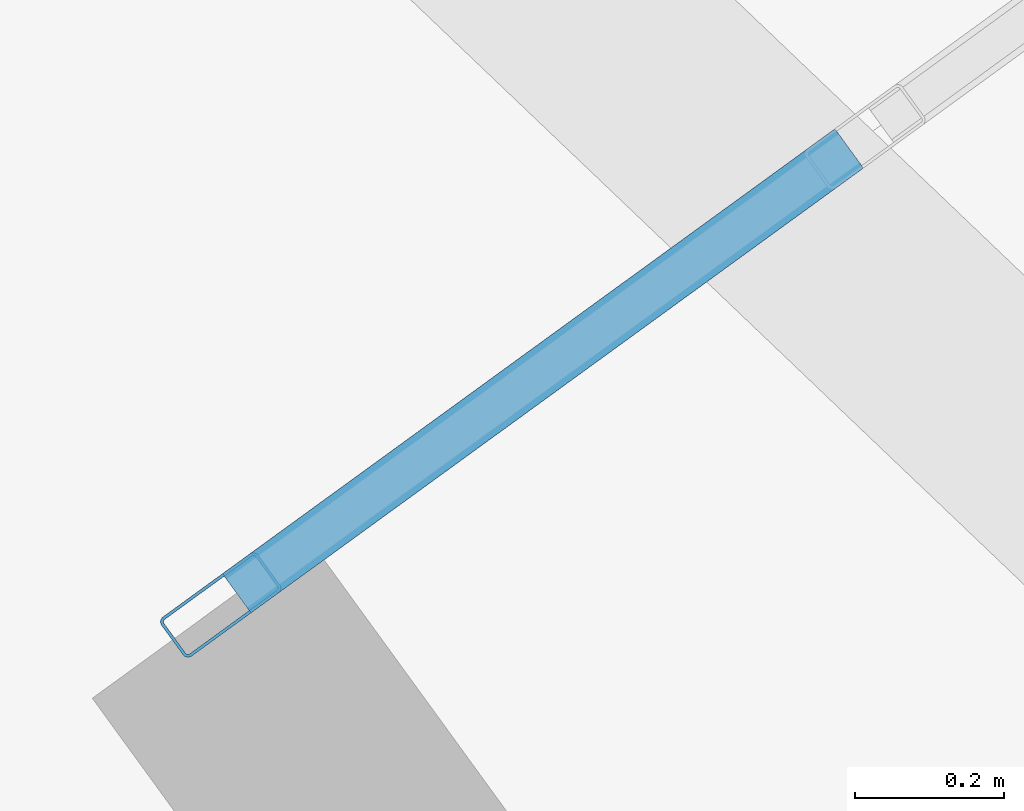
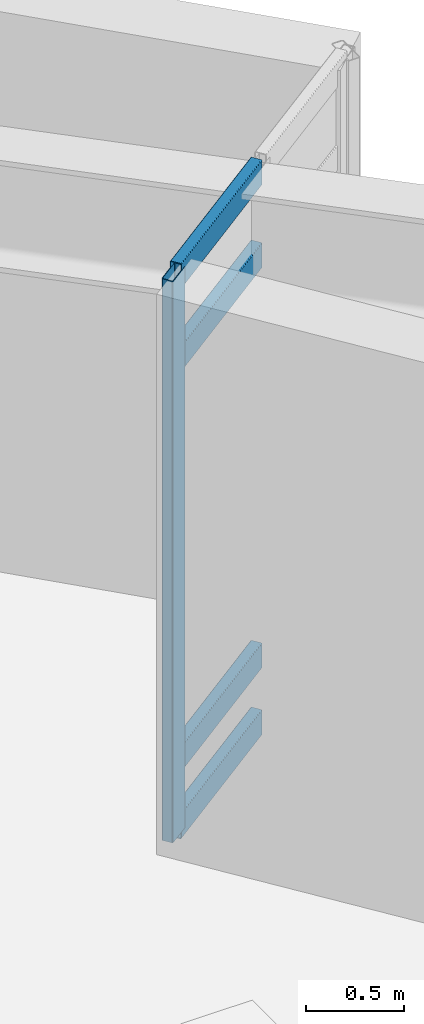
# One storey, part 2 of 15: 5 members, 1 element without a shape of its own.
"""IFC4 building model written with IfcOpenShell, lengths in metres."""

from ifc_helpers import new_model, si_unit, direction, frame, origin, origin_2d, place, context, subcontext, project, spatial, hollow_rectangle, extrude, material, layer, layer_set, material_profile, profile_set, type_object, element, aggregate, save


model = new_model("IFC4")

# Units and contexts
model_context = context("Model", 3, precision=1e-05, world=origin(), true_north=direction((0.0, 1.0)))
body_context = subcontext(model_context, "Body", "Model", "MODEL_VIEW")
ifc_project = project(units=[si_unit("LENGTHUNIT", "METRE"), si_unit("AREAUNIT", "SQUARE_METRE"), si_unit("VOLUMEUNIT", "CUBIC_METRE"), si_unit("PLANEANGLEUNIT", "RADIAN"), si_unit("MASSUNIT", "GRAM", prefix="KILO")], contexts=[model_context])

# Site, building, storey
site_placement = place(None, origin())
site = spatial("IfcSite", under=ifc_project, at=site_placement, CompositionType="ELEMENT")
building_placement = place(site_placement, origin())
building = spatial("IfcBuilding", under=site, at=building_placement, Name="Ndelora Gate Hotel", CompositionType="ELEMENT")
storey_placement = place(building_placement, frame((0.0, 0.0, 53.0)))
storey = spatial("IfcBuildingStorey", under=building, at=storey_placement, Name="L12", CompositionType="ELEMENT", Elevation=53.0)

# Curtain wall, members
ifc_material_1 = material(Name="Bronze Anodised Unitised Aluminium and Low-E Glass", Category="aluminium")
ifc_layer = layer(ifc_material_1, 0.199951171875)
ifc_layer_set = layer_set([ifc_layer], Name="Bronze Anodised Unitised Aluminium and Low-E Glass")
curtain_wall_type = type_object("IfcCurtainWallType", Name="CW-SYS-3", PredefinedType="NOTDEFINED", material=ifc_layer_set)
curtain_wall_placement = place(storey_placement, origin())
curtain_wall = element("IfcCurtainWall", 1, at=curtain_wall_placement, inside=storey, type_object=curtain_wall_type, Name="L12 Sky-Garden Loggia Side Curtain Wall CW3-2", PredefinedType="NOTDEFINED")
ifc_material_2 = material(Name="Bronze Anodised Aluminium 6063-T6", Category="aluminium")
ifc_material_profile_1 = material_profile(ifc_material_2, hollow_rectangle(XDim=0.06494140625, YDim=0.159912109375, WallThickness=0.00390625, InnerFilletRadius=0.00390625, OuterFilletRadius=0.008056640625, at=origin_2d()), Name="ALU 160x65x4")
ifc_profile_set_1 = profile_set([ifc_material_profile_1], Name="Bronze Anodised Aluminium 6063-T6")
member_type_1 = type_object("IfcMemberType", Name="MB-CW-MUL150", PredefinedType="MULLION", material=ifc_profile_set_1)
member_1_placement = place(storey_placement, frame((9.510986328125, 13.337646484375, -0.00390625), z_axis=(0.0, 0.0, 1.0), x_axis=(0.587785135859, -0.809017078969, 0.0)))
member_1 = element("IfcMember", 2, at=member_1_placement, type_object=member_type_1, Name="CW3 mullion 3", PredefinedType="MULLION", context=body_context, shape_type="SweptSolid", body=[
    extrude(hollow_rectangle(XDim=0.06494140625, YDim=0.159912109375, WallThickness=0.00390625, InnerFilletRadius=0.00390625, OuterFilletRadius=0.008056640625, at=origin_2d()), origin(), (0.0, 0.0, 1.0), 3.5078125),
])
ifc_material_profile_2 = material_profile(ifc_material_2, hollow_rectangle(XDim=0.06494140625, YDim=0.159912109375, WallThickness=0.00390625, InnerFilletRadius=0.00390625, OuterFilletRadius=0.008056640625, at=origin_2d()), Name="ALU 160x65x4")
ifc_profile_set_2 = profile_set([ifc_material_profile_2], Name="Bronze Anodised Aluminium 6063-T6")
member_type_2 = type_object("IfcMemberType", Name="MB-CW-TRN150", PredefinedType="USERDEFINED", material=ifc_profile_set_2)
member_2_placement = place(storey_placement, frame((10.353271484375, 13.949462890625, 0.032470703125), z_axis=(-0.809089769205, -0.58768507329, 0.0), x_axis=(0.58768507329, -0.809089769205, 0.0)))
member_2 = element("IfcMember", 3, at=member_2_placement, type_object=member_type_2, Name="CW3 transom 2.1", ObjectType="TRANSOM", PredefinedType="USERDEFINED", context=body_context, shape_type="SweptSolid", body=[
    extrude(hollow_rectangle(XDim=0.06494140625, YDim=0.159912109375, WallThickness=0.00390625, InnerFilletRadius=0.00390625, OuterFilletRadius=0.008056640625, at=origin_2d()), origin(), (0.0, 0.0, 1.0), 1.014404296875),
])
member_3_placement = place(storey_placement, frame((10.353271484375, 13.949462890625, 0.449951171875), z_axis=(-0.809089769205, -0.58768507329, 0.0), x_axis=(0.58768507329, -0.809089769205, 0.0)))
member_3 = element("IfcMember", 4, at=member_3_placement, type_object=member_type_2, Name="CW3 transom 2.2", ObjectType="TRANSOM", PredefinedType="USERDEFINED", context=body_context, shape_type="SweptSolid", body=[
    extrude(hollow_rectangle(XDim=0.06494140625, YDim=0.159912109375, WallThickness=0.00390625, InnerFilletRadius=0.00390625, OuterFilletRadius=0.008056640625, at=origin_2d()), origin(), (0.0, 0.0, 1.0), 1.014404296875),
])
member_4_placement = place(storey_placement, frame((10.353271484375, 13.949462890625, 2.949951171875), z_axis=(-0.809089769205, -0.58768507329, 0.0), x_axis=(0.58768507329, -0.809089769205, 0.0)))
member_4 = element("IfcMember", 5, at=member_4_placement, type_object=member_type_2, Name="CW3 transom 2.3", ObjectType="TRANSOM", PredefinedType="USERDEFINED", context=body_context, shape_type="SweptSolid", body=[
    extrude(hollow_rectangle(XDim=0.06494140625, YDim=0.159912109375, WallThickness=0.00390625, InnerFilletRadius=0.00390625, OuterFilletRadius=0.008056640625, at=origin_2d()), origin(), (0.0, 0.0, 1.0), 1.014404296875),
])
member_5_placement = place(storey_placement, frame((10.353271484375, 13.949462890625, 3.467529296875), z_axis=(-0.809089769205, -0.58768507329, 0.0), x_axis=(0.58768507329, -0.809089769205, 0.0)))
member_5 = element("IfcMember", 6, at=member_5_placement, type_object=member_type_2, Name="CW3 transom 2.4", ObjectType="TRANSOM", PredefinedType="USERDEFINED", context=body_context, shape_type="SweptSolid", body=[
    extrude(hollow_rectangle(XDim=0.06494140625, YDim=0.159912109375, WallThickness=0.00390625, InnerFilletRadius=0.00390625, OuterFilletRadius=0.008056640625, at=origin_2d()), origin(), (0.0, 0.0, 1.0), 1.014404296875),
])
aggregate(curtain_wall, [member_1, member_2, member_3, member_4, member_5])

save(model, "model.ifc")
